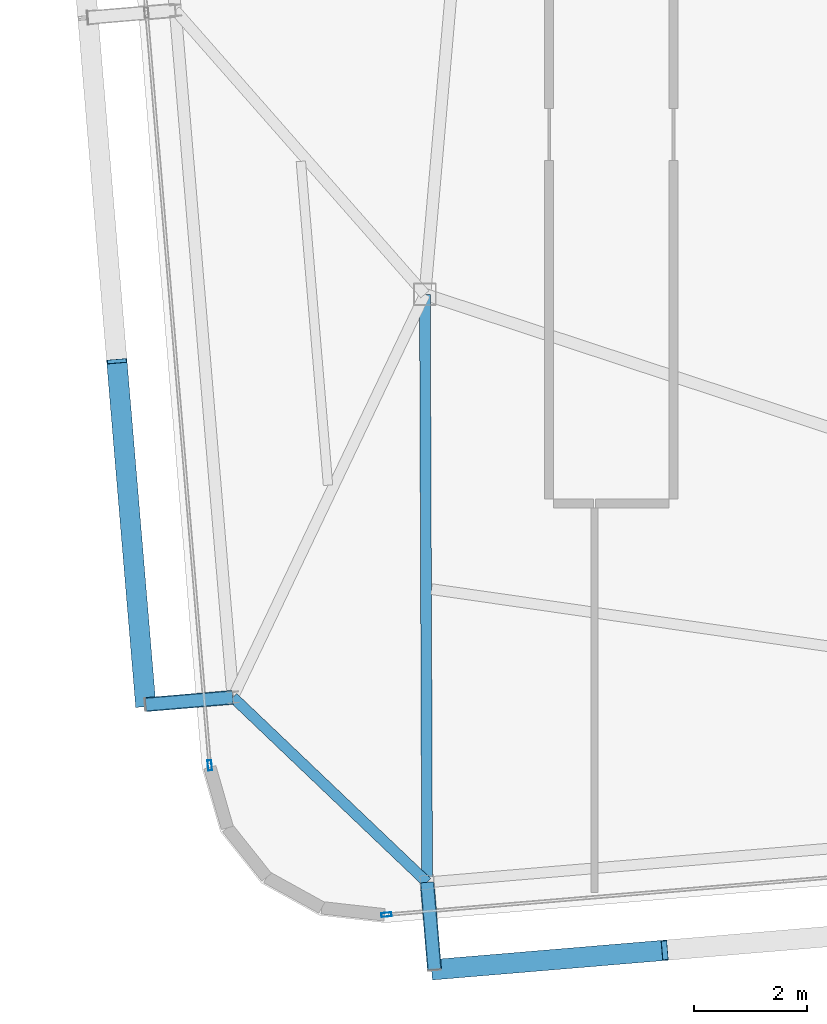
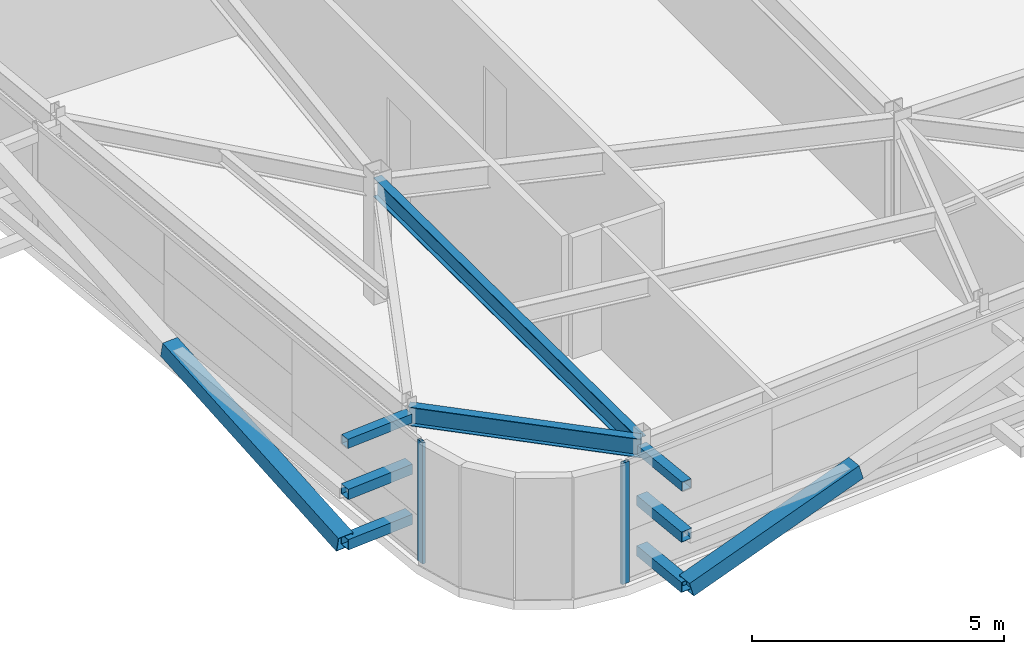
# One storey, part 7 of 39: 10 members, 2 beams, 2 elements without a shape of their own.
"""IFC4 building model written with IfcOpenShell, lengths in metres."""

import ifcopenshell
import ifcopenshell.guid

model = None  # the IFC model being written
_history = None  # IfcOwnerHistory: only IFC2X3 demands one
_inside = {}  # id of a spatial element -> (the spatial element, [elements in it])
_under = {}  # id of a project, library or spatial element -> (it, [spatial elements below it])
_declared = {}  # id of a project -> (the project, [libraries it declares])
_typed = {}  # id of a type object -> (the type object, [elements of that type])
_made_of = {}  # id of a material, layer set ... -> (it, [elements and type objects made of it])


def new_model(schema):
    """Start an empty IFC model of exactly this schema.

    Asked for "IFC4X3", IfcOpenShell would pick the latest addendum, in which some entities
    have other attributes; the version numbers below select the first issue.
    IFC2X3 requires an IfcOwnerHistory on every rooted entity: one is made here for all.
    """
    global model, _history
    if schema == "IFC4X3":
        model = ifcopenshell.file(schema_version=(4, 3, 0, 0))
    else:
        model = ifcopenshell.file(schema=schema)
    _inside.clear()
    _under.clear()
    _declared.clear()
    _typed.clear()
    _made_of.clear()
    _history = None
    if model.schema == "IFC2X3":
        org = make("IfcOrganization", Name="unknown")
        user = make(
            "IfcPersonAndOrganization",
            ThePerson=make("IfcPerson", FamilyName="unknown"),
            TheOrganization=org,
        )
        app = make(
            "IfcApplication",
            ApplicationDeveloper=org,
            Version="unknown",
            ApplicationFullName="unknown",
            ApplicationIdentifier="unknown",
        )
        _history = make(
            "IfcOwnerHistory",
            OwningUser=user,
            OwningApplication=app,
            ChangeAction="ADDED",
            CreationDate=0,
        )
    return model


def make(cls, **values):
    """One entity of the class cls with the attributes given. An attribute that is None is left unset."""
    return model.create_entity(
        cls, **{name: value for name, value in values.items() if value is not None}
    )


def rooted(cls, **values):
    """An entity with a GlobalId (a new one), such as an element, a storey or a relation."""
    return make(cls, GlobalId=ifcopenshell.guid.new(), OwnerHistory=_history, **values)


def si_unit(unit_type, name, prefix=None):
    """IfcSIUnit, for example si_unit("LENGTHUNIT", "METRE", prefix="MILLI")."""
    return make("IfcSIUnit", UnitType=unit_type, Prefix=prefix, Name=name)


def assignment(units):
    """IfcUnitAssignment: the units of a project."""
    return None if units is None else make("IfcUnitAssignment", Units=units)


def point(xyz):
    """IfcCartesianPoint."""
    return None if xyz is None else make("IfcCartesianPoint", Coordinates=xyz)


def direction(xyz):
    """IfcDirection."""
    return None if xyz is None else make("IfcDirection", DirectionRatios=xyz)


def frame(location, z_axis=None, x_axis=None):
    """IfcAxis2Placement3D, a coordinate frame: its origin and axes. An axis left out is left unset."""
    return make(
        "IfcAxis2Placement3D",
        Location=point(location),
        Axis=direction(z_axis),
        RefDirection=direction(x_axis),
    )


def frame_2d(location, x_axis=None):
    """IfcAxis2Placement2D, a coordinate frame in the plane: its origin and x axis."""
    return make(
        "IfcAxis2Placement2D", Location=point(location), RefDirection=direction(x_axis)
    )


def origin():
    """The frame at (0, 0, 0) with its axes left unset."""
    return frame((0.0, 0.0, 0.0))


def origin_2d():
    """The frame at (0, 0) in the plane with its x axis left unset."""
    return frame_2d((0.0, 0.0))


def place(relative_to, where):
    """IfcLocalPlacement: puts the frame where relative to a parent placement (None: the world)."""
    return make(
        "IfcLocalPlacement", PlacementRelTo=relative_to, RelativePlacement=where
    )


def context(
    kind, dimensions, precision=None, world=None, true_north=None, identifier=None
):
    """IfcGeometricRepresentationContext, for example the 3D "Model" context."""
    return make(
        "IfcGeometricRepresentationContext",
        ContextIdentifier=identifier,
        ContextType=kind,
        CoordinateSpaceDimension=dimensions,
        Precision=precision,
        WorldCoordinateSystem=world,
        TrueNorth=true_north,
    )


def subcontext(parent, identifier, kind, view, scale=None):
    """IfcGeometricRepresentationSubContext, for example "Body" below "Model"."""
    return make(
        "IfcGeometricRepresentationSubContext",
        ContextIdentifier=identifier,
        ContextType=kind,
        ParentContext=parent,
        TargetScale=scale,
        TargetView=view,
    )


def project(units=None, contexts=None):
    """IfcProject with its units and contexts."""
    return rooted(
        "IfcProject",
        Name="project",
        RepresentationContexts=contexts,
        UnitsInContext=assignment(units),
    )


def spatial(cls, under=None, at=None, **own):
    """A site, building, storey or space (cls), placed at a placement, below another one or the project."""
    s = rooted(cls, ObjectPlacement=at, **own)
    if under is not None:
        _under.setdefault(under.id(), (under, []))[1].append(s)
    return s


def profile(cls, at=None, kind="AREA", **sizes):
    """A parametric profile (cls). Its sizes go by their IFC names, for example OverallWidth=200.0."""
    return make(cls, ProfileType=kind, Position=at, **sizes)


def hollow_rectangle(**sizes):
    """IfcRectangleHollowProfileDef."""
    return profile("IfcRectangleHollowProfileDef", **sizes)


def i_section(**sizes):
    """IfcIShapeProfileDef."""
    return profile("IfcIShapeProfileDef", **sizes)


def extrude(swept, where, along, depth):
    """IfcExtrudedAreaSolid: the profile swept, set in the frame where, extruded along a direction by depth."""
    return make(
        "IfcExtrudedAreaSolid",
        SweptArea=swept,
        Position=where,
        ExtrudedDirection=direction(along),
        Depth=depth,
    )


def shape(context_of_items, identifier, shape_type, items):
    """IfcShapeRepresentation: the items that make up one representation, for example the "Body"."""
    return make(
        "IfcShapeRepresentation",
        ContextOfItems=context_of_items,
        RepresentationIdentifier=identifier,
        RepresentationType=shape_type,
        Items=items,
    )


def source(mapping_origin, context_of_items, identifier, shape_type, items):
    """IfcRepresentationMap: a shape defined once, which mapped items show again and again."""
    return make(
        "IfcRepresentationMap",
        MappingOrigin=mapping_origin,
        MappedRepresentation=shape(context_of_items, identifier, shape_type, items),
    )


def transform(
    local_origin,
    x_axis=None,
    y_axis=None,
    z_axis=None,
    scale=None,
    scale2=None,
    scale3=None,
    uniform=True,
):
    """IfcCartesianTransformationOperator3D, or its non-uniform kind. x_axis, y_axis, z_axis: its Axis1, 2, 3."""
    if uniform:
        return make(
            "IfcCartesianTransformationOperator3D",
            Axis1=direction(x_axis),
            Axis2=direction(y_axis),
            LocalOrigin=point(local_origin),
            Scale=scale,
            Axis3=direction(z_axis),
        )
    return make(
        "IfcCartesianTransformationOperator3DnonUniform",
        Axis1=direction(x_axis),
        Axis2=direction(y_axis),
        LocalOrigin=point(local_origin),
        Scale=scale,
        Axis3=direction(z_axis),
        Scale2=scale2,
        Scale3=scale3,
    )


def mapped(mapping_source, mapping_target):
    """IfcMappedItem: shows the shape of a source again, moved by a transform."""
    return make(
        "IfcMappedItem", MappingSource=mapping_source, MappingTarget=mapping_target
    )


def material(Name=None, Category=None):
    """IfcMaterial."""
    return make("IfcMaterial", Name=Name, Category=Category)


def layer(
    of_material, thickness, ventilated=None, Name=None, Category=None, Priority=None
):
    """IfcMaterialLayer: one layer of a wall or slab, of a material (None: an air gap)."""
    return make(
        "IfcMaterialLayer",
        Material=of_material,
        LayerThickness=thickness,
        IsVentilated=ventilated,
        Name=Name,
        Category=Category,
        Priority=Priority,
    )


def layer_set(layers, Name=None):
    """IfcMaterialLayerSet."""
    return make("IfcMaterialLayerSet", MaterialLayers=layers, LayerSetName=Name)


def material_profile(
    of_material, cross_section, Name=None, Category=None, Priority=None
):
    """IfcMaterialProfile: a cross section and its material."""
    return make(
        "IfcMaterialProfile",
        Name=Name,
        Material=of_material,
        Profile=cross_section,
        Priority=Priority,
        Category=Category,
    )


def profile_set(profiles, Name=None, composite=None):
    """IfcMaterialProfileSet."""
    return make(
        "IfcMaterialProfileSet",
        Name=Name,
        MaterialProfiles=profiles,
        CompositeProfile=composite,
    )


def made_of(thing, what):
    """Note that an element or type object is made of a material, layer set ...; save() writes the relation."""
    if what is not None:
        _made_of.setdefault(what.id(), (what, []))[1].append(thing)
    return thing


def type_object(cls, material=None, **own):
    """A type object (cls), such as IfcWallType, which elements share."""
    return made_of(rooted(cls, **own), material)


def element(
    cls,
    number,
    at=None,
    inside=None,
    cuts=None,
    type_object=None,
    material=None,
    context=None,
    identifier="Body",
    shape_type=None,
    held_by="IfcProductDefinitionShape",
    body=None,
    shapes=None,
    **own,
):
    """One element of the class cls, such as IfcWall. Its Tag is "e" and its number.

    at: its placement. inside: the storey or other place that contains it. cuts: it is an
    opening in that element (IfcRelVoidsElement). A single representation is given by context,
    identifier, shape_type and body (its items); several are given by shapes. held_by: the class
    of the entity that holds the representations. save() writes the other relations.
    """
    e = rooted(cls, Tag="e%d" % number, ObjectPlacement=at, **own)
    if body is not None:
        shapes = [shape(context, identifier, shape_type, body)]
    if shapes is not None:
        e.Representation = make(held_by, Representations=shapes)
    if inside is not None:
        _inside.setdefault(inside.id(), (inside, []))[1].append(e)
    if cuts is not None:
        rooted(
            "IfcRelVoidsElement", RelatingBuildingElement=cuts, RelatedOpeningElement=e
        )
    if type_object is not None:
        _typed.setdefault(type_object.id(), (type_object, []))[1].append(e)
    return made_of(e, material)


def aggregate(whole, parts):
    """IfcRelAggregates: a whole, such as a stair, and the parts it consists of."""
    return rooted("IfcRelAggregates", RelatingObject=whole, RelatedObjects=parts)


def save(model, path):
    """Write the relations noted so far, then the file.

    IfcRelAggregates (storeys below a building ...), IfcRelContainedInSpatialStructure (elements
    in a storey), IfcRelDefinesByType, IfcRelAssociatesMaterial and IfcRelDeclares: one each for
    every whole, place, type object, material and project.
    """
    for whole, parts in _under.values():
        aggregate(whole, parts)
    for where, things in _inside.values():
        rooted(
            "IfcRelContainedInSpatialStructure",
            RelatedElements=things,
            RelatingStructure=where,
        )
    for kind, things in _typed.values():
        rooted("IfcRelDefinesByType", RelatedObjects=things, RelatingType=kind)
    for what, things in _made_of.values():
        rooted("IfcRelAssociatesMaterial", RelatedObjects=things, RelatingMaterial=what)
    for by, libraries in _declared.values():
        rooted("IfcRelDeclares", RelatingContext=by, RelatedDefinitions=libraries)
    model.write(path)


model = new_model("IFC4")

# Units and contexts
model_context = context("Model", 3, precision=1e-05, world=origin(), true_north=direction((0.0, 1.0)))
body_context = subcontext(model_context, "Body", "Model", "MODEL_VIEW")
ifc_project = project(units=[si_unit("LENGTHUNIT", "METRE"), si_unit("AREAUNIT", "SQUARE_METRE"), si_unit("VOLUMEUNIT", "CUBIC_METRE"), si_unit("PLANEANGLEUNIT", "RADIAN"), si_unit("MASSUNIT", "GRAM", prefix="KILO")], contexts=[model_context])

# Site, building, storey
site_placement = place(None, origin())
site = spatial("IfcSite", under=ifc_project, at=site_placement, CompositionType="ELEMENT")
building_placement = place(site_placement, origin())
building = spatial("IfcBuilding", under=site, at=building_placement, Name="Taldren Reach Tower", CompositionType="ELEMENT")
storey_placement = place(building_placement, frame((0.0, 0.0, 178.85009765625)))
storey = spatial("IfcBuildingStorey", under=building, at=storey_placement, Name="L54", CompositionType="ELEMENT", Elevation=178.85009765625)

# Members
ifc_material_1 = material(Name="Steel Gr 350 (C350L0)", Category="steel")
ifc_material_profile_1 = material_profile(ifc_material_1, hollow_rectangle(XDim=0.25, YDim=0.25, WallThickness=0.010009765625, at=origin_2d()), Name="250x250x10.0SHS")
ifc_profile_set_1 = profile_set([ifc_material_profile_1], Name="Steel Gr 350 (C350L0)")
member_type_1 = type_object("IfcMemberType", Name="MB-POST250", PredefinedType="POST", material=ifc_profile_set_1)
shared_shape_1 = source(origin(), body_context, "Body", "SweptSolid", [
    extrude(hollow_rectangle(XDim=0.25, YDim=0.25, WallThickness=0.010009765625, at=origin_2d()), origin(), (0.0, 0.0, 1.0), 1.5498046875),
])
for number, where, z_axis, x_axis, name in (
    (1, (18.03955078125, 2.093994140625, 0.219970703125), (0.083801560254, -0.996482462715, 0.0), (0.996482462715, 0.083801560254, 0.0), "Exoskeleton base diaphragm tie strut B4-S1 L54"),
    (2, (18.03955078125, 2.093994140625, 1.434814453125), (0.083801560254, -0.996482462715, 0.0), (0.996482462715, 0.083801560254, 0.0), "Exoskeleton mid-tier diaphragm tie B4-S1 L54"),
):
    element("IfcMember", number, at=place(storey_placement, frame(where, z_axis=z_axis, x_axis=x_axis)), inside=storey, type_object=member_type_1, Name=name, PredefinedType="POST", context=body_context, shape_type="MappedRepresentation", body=[
        mapped(shared_shape_1, transform((0.0, 0.0, 0.0), scale=1.0)),
    ])

# Beams
ifc_material_2 = material(Name="Steel Gr 350 (350PLUS)", Category="steel")
ifc_material_profile_2 = material_profile(ifc_material_2, i_section(OverallWidth=0.18994140625, OverallDepth=0.4541015625, WebThickness=0.008544921875, FlangeThickness=0.0126953125, at=origin_2d()), Name="460UB67.1")
ifc_profile_set_2 = profile_set([ifc_material_profile_2], Name="Steel Gr 350 (350PLUS)")
beam_type_1 = type_object("IfcBeamType", Name="SP-UB460B", PredefinedType="SPANDREL", material=ifc_profile_set_2)
shared_shape_2 = source(origin(), body_context, "Body", "SweptSolid", [
    extrude(i_section(OverallWidth=0.18994140625, OverallDepth=0.4541015625, WebThickness=0.008544921875, FlangeThickness=0.0126953125, at=origin_2d()), origin(), (0.0, 0.0, 1.0), 4.745849609375),
])
beam_1_placement = place(storey_placement, frame((14.603759765625, 5.367919921875, 2.702880859375), z_axis=(0.723954399605, -0.689847829084, 0.0), x_axis=(0.689847829084, 0.723954399605, 0.0)))
element("IfcBeam", 3, at=beam_1_placement, inside=storey, type_object=beam_type_1, Name="Perimeter spandrel B4 W1-S1 L54", PredefinedType="SPANDREL", context=body_context, shape_type="MappedRepresentation", body=[
    mapped(shared_shape_2, transform((0.0, 0.0, 0.0), scale=1.0)),
])
ifc_material_profile_3 = material_profile(ifc_material_2, i_section(OverallWidth=0.19091796875, OverallDepth=0.4599609375, WebThickness=0.010009765625, FlangeThickness=0.01611328125, at=origin_2d()), Name="460UB82.1")
ifc_profile_set_3 = profile_set([ifc_material_profile_3], Name="Steel Gr 350 (350PLUS)")
beam_type_2 = type_object("IfcBeamType", Name="BM-UB460A", PredefinedType="BEAM", material=ifc_profile_set_3)
shared_shape_3 = source(origin(), body_context, "Body", "SweptSolid", [
    extrude(i_section(OverallWidth=0.19091796875, OverallDepth=0.4599609375, WebThickness=0.010009765625, FlangeThickness=0.01611328125, at=origin_2d()), origin(), (0.0, 0.0, 1.0), 10.406005859375),
])
beam_2_placement = place(storey_placement, frame((18.0, 12.5, 2.699951171875), z_axis=(0.003800737393, -0.999992777172, 0.0), x_axis=(0.999992777172, 0.003800737393, 0.0)))
element("IfcBeam", 4, at=beam_2_placement, inside=storey, type_object=beam_type_2, Name="Primary floor girder B4-S1 L54", PredefinedType="BEAM", context=body_context, shape_type="MappedRepresentation", body=[
    mapped(shared_shape_3, transform((0.0, 0.0, 0.0), scale=1.0)),
])

# Members
ifc_material_3 = material(Name="Steel Gr 450 (C450L0)", Category="steel")
ifc_material_profile_4 = material_profile(ifc_material_3, hollow_rectangle(XDim=0.219970703125, YDim=0.219970703125, WallThickness=0.00830078125, at=origin_2d()), Name="220x220x8.2SHS")
ifc_profile_set_4 = profile_set([ifc_material_profile_4], Name="Steel Gr 450 (C450L0)")
member_type_2 = type_object("IfcMemberType", Name="MB-TIE219", PredefinedType="STRUT", material=ifc_profile_set_4)
shared_shape_4 = source(origin(), body_context, "Body", "SweptSolid", [
    extrude(hollow_rectangle(XDim=0.219970703125, YDim=0.219970703125, WallThickness=0.00830078125, at=origin_2d()), origin(), (0.0, 0.0, 1.0), 1.5498046875),
])
member_1_placement = place(storey_placement, frame((18.03955078125, 2.093994140625, 2.64990234375), z_axis=(0.083801560254, -0.996482462715, 0.0), x_axis=(0.996482462715, 0.083801560254, 0.0)))
element("IfcMember", 5, at=member_1_placement, inside=storey, type_object=member_type_2, Name="Exoskeleton diaphragm tie strut B4-S1 L54", PredefinedType="STRUT", context=body_context, shape_type="MappedRepresentation", body=[
    mapped(shared_shape_4, transform((0.0, 0.0, 0.0), scale=1.0)),
])
shared_shape_5 = source(origin(), body_context, "Body", "SweptSolid", [
    extrude(hollow_rectangle(XDim=0.219970703125, YDim=0.219970703125, WallThickness=0.00830078125, at=origin_2d()), origin(), (0.0, 0.0, 1.0), 1.54541015625),
])
member_2_placement = place(storey_placement, frame((14.59912109375, 5.36767578125, 2.64990234375), z_axis=(-0.99648887425, -0.083725285883, 0.0), x_axis=(0.083725285883, -0.99648887425, 0.0)))
element("IfcMember", 6, at=member_2_placement, inside=storey, type_object=member_type_2, Name="Exoskeleton diaphragm tie strut B4-W1 L54", PredefinedType="STRUT", context=body_context, shape_type="MappedRepresentation", body=[
    mapped(shared_shape_5, transform((0.0, 0.0, 0.0), scale=1.0)),
])
shared_shape_6 = source(origin(), body_context, "Body", "SweptSolid", [
    extrude(hollow_rectangle(XDim=0.25, YDim=0.25, WallThickness=0.010009765625, at=origin_2d()), origin(), (0.0, 0.0, 1.0), 1.54541015625),
])
for number, where, z_axis, x_axis, name in (
    (7, (14.59912109375, 5.36767578125, 0.219970703125), (-0.99648887425, -0.083725285883, 0.0), (0.083725285883, -0.99648887425, 0.0), "Exoskeleton base diaphragm tie strut B4-W1 L54"),
    (8, (14.59912109375, 5.36767578125, 1.434814453125), (-0.99648887425, -0.083725285883, 0.0), (0.083725285883, -0.99648887425, 0.0), "Exoskeleton mid-tier diaphragm tie B4-W1 L54"),
):
    element("IfcMember", number, at=place(storey_placement, frame(where, z_axis=z_axis, x_axis=x_axis)), inside=storey, type_object=member_type_1, Name=name, PredefinedType="POST", context=body_context, shape_type="MappedRepresentation", body=[
        mapped(shared_shape_6, transform((0.0, 0.0, 0.0), scale=1.0)),
    ])
ifc_material_profile_5 = material_profile(ifc_material_3, hollow_rectangle(XDim=0.360107421875, YDim=0.360107421875, WallThickness=0.0126953125, at=origin_2d()), Name="360x360x12.7SHS")
ifc_profile_set_5 = profile_set([ifc_material_profile_5], Name="Steel Gr 450 (C450L0)")
member_type_3 = type_object("IfcMemberType", Name="MB-EXO356", PredefinedType="BRACE", material=ifc_profile_set_5)
shared_shape_7 = source(origin(), body_context, "Body", "SweptSolid", [
    extrude(hollow_rectangle(XDim=0.360107421875, YDim=0.360107421875, WallThickness=0.0126953125, at=origin_2d()), origin(), (0.0, 0.0, 1.0), 4.2666015625),
])
member_3_placement = place(storey_placement, frame((18.16943359375, 0.549560546875, 0.219970703125), z_axis=(0.955249107127, 0.080166766448, 0.284732212595), x_axis=(-0.083628388178, 0.996497010879, 0.0)))
element("IfcMember", 9, at=member_3_placement, inside=storey, type_object=member_type_3, Name="Exoskeleton Diagrid Brace B4-S1 L54", PredefinedType="BRACE", context=body_context, shape_type="MappedRepresentation", body=[
    mapped(shared_shape_7, transform((0.0, 0.0, 0.0), scale=1.0)),
])
shared_shape_8 = source(origin(), body_context, "Body", "SweptSolid", [
    extrude(hollow_rectangle(XDim=0.360107421875, YDim=0.360107421875, WallThickness=0.0126953125, at=origin_2d()), origin(), (0.0, 0.0, 1.0), 6.2197265625),
])
member_4_placement = place(storey_placement, frame((13.05908203125, 5.23828125, 0.219970703125), z_axis=(-0.082076194186, 0.977299417909, 0.19531857593), x_axis=(-0.996492003099, -0.083688038336, 0.0)))
element("IfcMember", 10, at=member_4_placement, inside=storey, type_object=member_type_3, Name="Exoskeleton Diagrid Brace B4-W1 L54", PredefinedType="BRACE", context=body_context, shape_type="MappedRepresentation", body=[
    mapped(shared_shape_8, transform((0.0, 0.0, 0.0), scale=1.0)),
])

# Curtain wall, member
ifc_material_4 = material(Name="Aluminium and Low-E Glass Unitised System", Category="aluminium")
ifc_layer = layer(ifc_material_4, 0.159912109375)
ifc_layer_set = layer_set([ifc_layer], Name="Aluminium and Low-E Glass Unitised System")
curtain_wall_type = type_object("IfcCurtainWallType", Name="CW-SYS-5", PredefinedType="NOTDEFINED", material=ifc_layer_set)
curtain_wall_1_placement = place(storey_placement, origin())
curtain_wall_1 = element("IfcCurtainWall", 11, at=curtain_wall_1_placement, inside=storey, type_object=curtain_wall_type, Name="Unitised curtain wall CW-L54-S", PredefinedType="NOTDEFINED")
ifc_material_5 = material(Name="Anodised Aluminium 6063-T6", Category="aluminium")
ifc_material_profile_6 = material_profile(ifc_material_5, hollow_rectangle(XDim=0.070068359375, YDim=0.179931640625, WallThickness=0.00390625, at=origin_2d()), Name="ALU-180x70x4RHS")
ifc_profile_set_6 = profile_set([ifc_material_profile_6], Name="Anodised Aluminium 6063-T6")
member_type_4 = type_object("IfcMemberType", Name="CW-MUL-180", PredefinedType="MULLION", material=ifc_profile_set_6)
shared_shape_9 = source(origin(), body_context, "Body", "SweptSolid", [
    extrude(hollow_rectangle(XDim=0.070068359375, YDim=0.179931640625, WallThickness=0.00390625, at=origin_2d()), origin(), (0.0, 0.0, 1.0), 2.929931640625),
])
member_5_placement = place(storey_placement, frame((17.320068359375, 1.521728515625, 0.0), z_axis=(0.0, 0.0, 1.0), x_axis=(-0.083677894865, 0.996492854922, 0.0)))
member_5 = element("IfcMember", 12, at=member_5_placement, type_object=member_type_4, Name="CW-5 mullion 1", PredefinedType="MULLION", context=body_context, shape_type="MappedRepresentation", body=[
    mapped(shared_shape_9, transform((0.0, 0.0, 0.0), scale=1.0)),
])
aggregate(curtain_wall_1, [member_5])

curtain_wall_2_placement = place(storey_placement, origin())
curtain_wall_2 = element("IfcCurtainWall", 13, at=curtain_wall_2_placement, inside=storey, type_object=curtain_wall_type, Name="Unitised curtain wall CW-L54-W", PredefinedType="NOTDEFINED")
member_6_placement = place(storey_placement, frame((14.19287109375, 4.164306640625, 0.0), z_axis=(0.0, 0.0, 1.0), x_axis=(0.996492847789, 0.083677979808, 0.0)))
member_6 = element("IfcMember", 14, at=member_6_placement, type_object=member_type_4, Name="CW-5 mullion 3", PredefinedType="MULLION", context=body_context, shape_type="MappedRepresentation", body=[
    mapped(shared_shape_9, transform((0.0, 0.0, 0.0), scale=1.0)),
])
aggregate(curtain_wall_2, [member_6])

save(model, "model.ifc")
